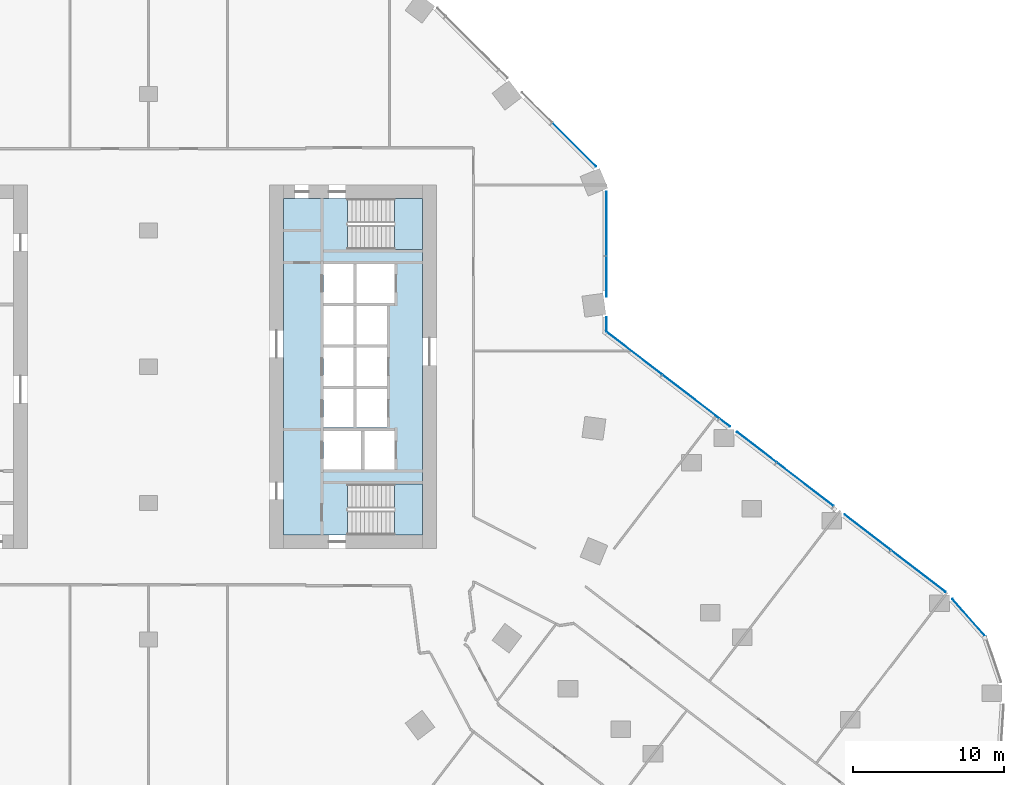
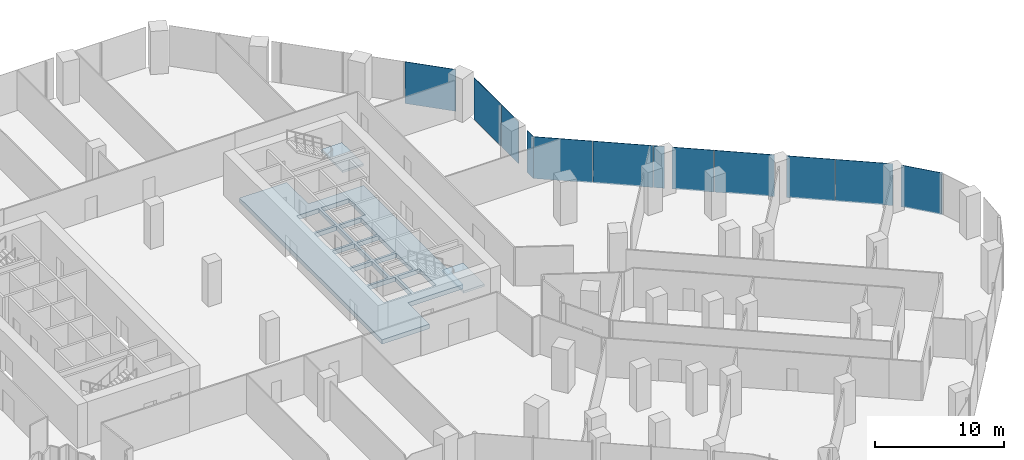
# One storey, part 19 of 29: 12 plates, 3 slabs, 6 elements without a shape of their own.
"""IFC4 building model written with IfcOpenShell, lengths in metres."""

from ifc_helpers import new_model, si_unit, direction, frame, origin, origin_2d, place, context, subcontext, project, spatial, polyline, rectangle, outline, extrude, material, layer, layer_set, type_object, element, aggregate, save


model = new_model("IFC4")

# Units and contexts
model_context = context("Model", 3, precision=1e-05, world=origin(), true_north=direction((0.0, 1.0)))
body_context = subcontext(model_context, "Body", "Model", "MODEL_VIEW")
ifc_project = project(units=[si_unit("LENGTHUNIT", "METRE"), si_unit("AREAUNIT", "SQUARE_METRE"), si_unit("VOLUMEUNIT", "CUBIC_METRE"), si_unit("PLANEANGLEUNIT", "RADIAN"), si_unit("MASSUNIT", "GRAM", prefix="KILO")], contexts=[model_context])

# Site, building, storey
site_placement = place(None, origin())
site = spatial("IfcSite", under=ifc_project, at=site_placement, CompositionType="ELEMENT")
building_placement = place(site_placement, origin())
building = spatial("IfcBuilding", under=site, at=building_placement, Name="Orlundy Tower", CompositionType="ELEMENT")
storey_placement = place(building_placement, frame((0.0, 0.0, 25.10009765625)))
storey = spatial("IfcBuildingStorey", under=building, at=storey_placement, Name="L04", CompositionType="ELEMENT", Elevation=25.10009765625)

# Curtain wall, plate
ifc_material_1 = material(Name="Aluminium bronze anodised", Category="aluminium")
curtain_wall_type = type_object("IfcCurtainWallType", Name="CW2 wall", PredefinedType="NOTDEFINED", material=ifc_material_1)
curtain_wall_1_placement = place(storey_placement, origin())
curtain_wall_1 = element("IfcCurtainWall", 1, at=curtain_wall_1_placement, inside=storey, type_object=curtain_wall_type, Name="CW2 run 016", PredefinedType="NOTDEFINED")
ifc_material_2 = material(Name="Tinted glass", Category="glass")
ifc_layer_1 = layer(ifc_material_2, 0.0380859375)
ifc_layer_set_1 = layer_set([ifc_layer_1], Name="CW2 glass panel 38")
plate_type = type_object("IfcPlateType", Name="CW2 glass panel 38", PredefinedType="CURTAIN_PANEL", material=ifc_layer_set_1)
plate_1_placement = place(storey_placement, frame((28.10400390625, 14.648681640625, -0.27001953125), z_axis=(0.0, 0.0, 1.0), x_axis=(0.707106781187, -0.707106781187, 0.0)))
plate_1 = element("IfcPlate", 2, at=plate_1_placement, type_object=plate_type, Name="CW2 panel", PredefinedType="CURTAIN_PANEL", context=body_context, shape_type="SweptSolid", body=[
    extrude(rectangle(XDim=4.066650390625, YDim=0.0380859375, at=origin_2d()), origin(), (0.0, 0.0, 1.0), 3.969970703125),
])
aggregate(curtain_wall_1, [plate_1])

# Curtain wall, plates
curtain_wall_2_placement = place(storey_placement, origin())
curtain_wall_2 = element("IfcCurtainWall", 3, at=curtain_wall_2_placement, inside=storey, type_object=curtain_wall_type, Name="CW2 run 017", PredefinedType="NOTDEFINED")
plate_2_placement = place(storey_placement, frame((30.23095703125, 9.4404296875, -0.27001953125), z_axis=(0.0, 0.0, 1.0), x_axis=(0.0, -1.0, 0.0)))
plate_2 = element("IfcPlate", 4, at=plate_2_placement, type_object=plate_type, Name="CW2 panel", PredefinedType="CURTAIN_PANEL", context=body_context, shape_type="SweptSolid", body=[
    extrude(rectangle(XDim=4.215087890625, YDim=0.0380859375, at=origin_2d()), origin(), (0.0, 0.0, 1.0), 3.969970703125),
])
plate_3_placement = place(storey_placement, frame((30.23095703125, 5.951904296875, -0.27001953125), z_axis=(0.0, 0.0, 1.0), x_axis=(0.0, -1.0, 0.0)))
plate_3 = element("IfcPlate", 5, at=plate_3_placement, type_object=plate_type, Name="CW2 panel", PredefinedType="CURTAIN_PANEL", context=body_context, shape_type="SweptSolid", body=[
    extrude(rectangle(XDim=2.662353515625, YDim=0.0380859375, at=origin_2d()), origin(), (0.0, 0.0, 1.0), 3.969970703125),
])
plate_4_placement = place(storey_placement, frame((30.23095703125, 2.78466796875, -0.27001953125), z_axis=(0.0, 0.0, 1.0), x_axis=(0.0, -1.0, 0.0)))
plate_4 = element("IfcPlate", 6, at=plate_4_placement, type_object=plate_type, Name="CW2 panel", PredefinedType="CURTAIN_PANEL", context=body_context, shape_type="SweptSolid", body=[
    extrude(rectangle(XDim=0.961181640625, YDim=0.0380859375, at=origin_2d()), origin(), (0.0, 0.0, 1.0), 3.969970703125),
])
aggregate(curtain_wall_2, [plate_2, plate_3, plate_4])

curtain_wall_3_placement = place(storey_placement, origin())
curtain_wall_3 = element("IfcCurtainWall", 7, at=curtain_wall_3_placement, inside=storey, type_object=curtain_wall_type, Name="CW2 run 018", PredefinedType="NOTDEFINED")
plate_5_placement = place(storey_placement, frame((32.062255859375, 0.898681640625, -0.27001953125), z_axis=(0.0, 0.0, 1.0), x_axis=(0.793340030598, -0.608778774146, 0.0)))
plate_5 = element("IfcPlate", 8, at=plate_5_placement, type_object=plate_type, Name="CW2 panel", PredefinedType="CURTAIN_PANEL", context=body_context, shape_type="SweptSolid", body=[
    extrude(rectangle(XDim=4.616455078125, YDim=0.0380859375, at=origin_2d()), origin(), (0.0, 0.0, 1.0), 3.969970703125),
])
plate_6_placement = place(storey_placement, frame((35.799560546875, -1.96923828125, -0.27001953125), z_axis=(0.0, 0.0, 1.0), x_axis=(0.793340030598, -0.608778774146, 0.0)))
plate_6 = element("IfcPlate", 9, at=plate_6_placement, type_object=plate_type, Name="CW2 panel", PredefinedType="CURTAIN_PANEL", context=body_context, shape_type="SweptSolid", body=[
    extrude(rectangle(XDim=4.705322265625, YDim=0.0380859375, at=origin_2d()), origin(), (0.0, 0.0, 1.0), 3.969970703125),
])
plate_7_placement = place(storey_placement, frame((38.0419921875, -3.68994140625, -0.27001953125), z_axis=(0.0, 0.0, 1.0), x_axis=(0.793340030598, -0.608778774146, 0.0)))
plate_7 = element("IfcPlate", 10, at=plate_7_placement, type_object=plate_type, Name="CW2 panel", PredefinedType="CURTAIN_PANEL", context=body_context, shape_type="SweptSolid", body=[
    extrude(rectangle(XDim=0.84765625, YDim=0.0380859375, at=origin_2d()), origin(), (0.0, 0.0, 1.0), 3.969970703125),
])
plate_8_placement = place(storey_placement, frame((40.139892578125, -5.2998046875, -0.27001953125), z_axis=(0.0, 0.0, 1.0), x_axis=(0.793340030598, -0.608778774146, 0.0)))
plate_8 = element("IfcPlate", 11, at=plate_8_placement, type_object=plate_type, Name="CW2 panel", PredefinedType="CURTAIN_PANEL", context=body_context, shape_type="SweptSolid", body=[
    extrude(rectangle(XDim=3.2744140625, YDim=0.0380859375, at=origin_2d()), origin(), (0.0, 0.0, 1.0), 3.969970703125),
])
plate_9_placement = place(storey_placement, frame((43.344970703125, -7.75927734375, -0.27001953125), z_axis=(0.0, 0.0, 1.0), x_axis=(0.793340030598, -0.608778774146, 0.0)))
plate_9 = element("IfcPlate", 12, at=plate_9_placement, type_object=plate_type, Name="CW2 panel", PredefinedType="CURTAIN_PANEL", context=body_context, shape_type="SweptSolid", body=[
    extrude(rectangle(XDim=4.705322265625, YDim=0.0380859375, at=origin_2d()), origin(), (0.0, 0.0, 1.0), 3.969970703125),
])
plate_10_placement = place(storey_placement, frame((47.468994140625, -10.923828125, -0.27001953125), z_axis=(0.0, 0.0, 1.0), x_axis=(0.793340030598, -0.608778774146, 0.0)))
plate_10 = element("IfcPlate", 13, at=plate_10_placement, type_object=plate_type, Name="CW2 panel", PredefinedType="CURTAIN_PANEL", context=body_context, shape_type="SweptSolid", body=[
    extrude(rectangle(XDim=3.8193359375, YDim=0.0380859375, at=origin_2d()), origin(), (0.0, 0.0, 1.0), 3.969970703125),
])
plate_11_placement = place(storey_placement, frame((50.814453125, -13.490966796875, -0.27001953125), z_axis=(0.0, 0.0, 1.0), x_axis=(0.793340030598, -0.608778774146, 0.0)))
plate_11 = element("IfcPlate", 14, at=plate_11_placement, type_object=plate_type, Name="CW2 panel", PredefinedType="CURTAIN_PANEL", context=body_context, shape_type="SweptSolid", body=[
    extrude(rectangle(XDim=4.513916015625, YDim=0.0380859375, at=origin_2d()), origin(), (0.0, 0.0, 1.0), 3.969970703125),
])
aggregate(curtain_wall_3, [plate_5, plate_6, plate_7, plate_8, plate_9, plate_10, plate_11])

# Curtain wall, plate
curtain_wall_4_placement = place(storey_placement, origin())
curtain_wall_4 = element("IfcCurtainWall", 15, at=curtain_wall_4_placement, inside=storey, type_object=curtain_wall_type, Name="CW2 run 019", PredefinedType="NOTDEFINED")
plate_12_placement = place(storey_placement, frame((54.176025390625, -16.585693359375, -0.27001953125), z_axis=(0.0, 0.0, 1.0), x_axis=(0.65932547196, -0.751857647447, 0.0)))
plate_12 = element("IfcPlate", 16, at=plate_12_placement, type_object=plate_type, Name="CW2 panel", PredefinedType="CURTAIN_PANEL", context=body_context, shape_type="SweptSolid", body=[
    extrude(rectangle(XDim=3.36083984375, YDim=0.0380859375, at=origin_2d()), origin(), (0.0, 0.0, 1.0), 3.969970703125),
])
aggregate(curtain_wall_4, [plate_12])

# Slab
ifc_material_3 = material(Name="Concrete C50/60", Category="concrete")
ifc_layer_2 = layer(ifc_material_3, 0.419921875)
ifc_layer_set_2 = layer_set([ifc_layer_2], Name="Core Floor Slab 420")
slab_type_1 = type_object("IfcSlabType", Name="Core Floor Slab 420", PredefinedType="FLOOR", material=ifc_layer_set_2)
slab_1_placement = place(storey_placement, frame((0.0, 0.0, -0.420166015625)))
element("IfcSlab", 17, at=slab_1_placement, inside=storey, type_object=slab_type_1, Name="Core floor E05", PredefinedType="FLOOR", context=body_context, shape_type="SweptSolid", body=[
    extrude(outline(polyline([(8.89990234375, 11.10009765625), (13.14501953125, 11.10009765625), (13.14501953125, 7.75), (18.10009765625, 7.75), (18.10009765625, -7.75), (13.14501953125, -7.75), (13.14501953125, -11.10009765625), (8.89990234375, -11.10009765625), (8.89990234375, 11.10009765625)]), holes=[polyline([(11.5400390625, 6.77490234375), (11.5400390625, 4.22509765625), (13.5400390625, 4.22509765625), (13.5400390625, 6.77490234375), (11.5400390625, 6.77490234375)]), polyline([(16.239990234375, 6.77490234375), (13.739990234375, 6.77490234375), (13.739990234375, 4.22509765625), (16.239990234375, 4.22509765625), (16.239990234375, 6.77490234375)]), polyline([(13.5400390625, 1.47509765625), (13.5400390625, 4.02490234375), (11.5400390625, 4.02490234375), (11.5400390625, 1.47509765625), (13.5400390625, 1.47509765625)]), polyline([(13.739990234375, 1.47509765625), (15.739990234375, 1.47509765625), (15.739990234375, 4.02490234375), (13.739990234375, 4.02490234375), (13.739990234375, 1.47509765625)]), polyline([(11.5400390625, 1.27490234375), (11.5400390625, -1.27490234375), (13.5400390625, -1.27490234375), (13.5400390625, 1.27490234375), (11.5400390625, 1.27490234375)]), polyline([(15.739990234375, 1.27490234375), (13.739990234375, 1.27490234375), (13.739990234375, -1.27490234375), (15.739990234375, -1.27490234375), (15.739990234375, 1.27490234375)]), polyline([(13.5400390625, -4.02490234375), (13.5400390625, -1.47509765625), (11.5400390625, -1.47509765625), (11.5400390625, -4.02490234375), (13.5400390625, -4.02490234375)]), polyline([(13.739990234375, -4.02490234375), (15.739990234375, -4.02490234375), (15.739990234375, -1.47509765625), (13.739990234375, -1.47509765625), (13.739990234375, -4.02490234375)]), polyline([(11.5400390625, -4.22509765625), (11.5400390625, -6.77490234375), (14.0400390625, -6.77490234375), (14.0400390625, -4.22509765625), (11.5400390625, -4.22509765625)]), polyline([(16.239990234375, -4.22509765625), (14.239990234375, -4.22509765625), (14.239990234375, -6.77490234375), (16.239990234375, -6.77490234375), (16.239990234375, -4.22509765625)])]), origin(), (0.0, 0.0, 1.0), 0.420166015625),
])

# Stair, slab
ifc_material_4 = material(Name="Concrete C50/60", Category="concrete")
stair_type = type_object("IfcStairType", Name="Exit Stair 24 risers", PredefinedType="HALF_TURN_STAIR", material=ifc_material_4)
stair_1_placement = place(storey_placement, origin())
stair_1 = element("IfcStair", 18, at=stair_1_placement, inside=storey, type_object=stair_type, Name="L04 Exit Stair ST-E1", PredefinedType="HALF_TURN_STAIR")
ifc_material_5 = material(Name="Concrete C50/60", Category="concrete")
ifc_layer_3 = layer(ifc_material_5, 0.199951171875)
ifc_layer_set_3 = layer_set([ifc_layer_3], Name="Exit Stair Landing")
slab_type_2 = type_object("IfcSlabType", Name="Exit Stair Landing", PredefinedType="LANDING", material=ifc_layer_set_3)
slab_2_placement = place(storey_placement, frame((0.0, 0.0, 1.849853515625)))
slab_2 = element("IfcSlab", 19, at=slab_2_placement, type_object=slab_type_2, Name="ST-E1 landing 1", PredefinedType="LANDING", context=body_context, shape_type="SweptSolid", body=[
    extrude(outline(polyline([(16.219970703125, -11.10009765625), (18.10009765625, -11.10009765625), (18.10009765625, -7.75), (16.219970703125, -7.75), (16.219970703125, -11.10009765625)])), origin(), (0.0, 0.0, 1.0), 0.199951171875),
])
aggregate(stair_1, [slab_2])

stair_2_placement = place(storey_placement, origin())
stair_2 = element("IfcStair", 20, at=stair_2_placement, inside=storey, type_object=stair_type, Name="L04 Exit Stair ST-E2", PredefinedType="HALF_TURN_STAIR")
slab_3_placement = place(storey_placement, frame((0.0, 0.0, 1.849853515625)))
slab_3 = element("IfcSlab", 21, at=slab_3_placement, type_object=slab_type_2, Name="ST-E2 landing 1", PredefinedType="LANDING", context=body_context, shape_type="SweptSolid", body=[
    extrude(outline(polyline([(16.219970703125, 7.75), (18.10009765625, 7.75), (18.10009765625, 11.10009765625), (16.219970703125, 11.10009765625), (16.219970703125, 7.75)])), origin(), (0.0, 0.0, 1.0), 0.199951171875),
])
aggregate(stair_2, [slab_3])

save(model, "model.ifc")
